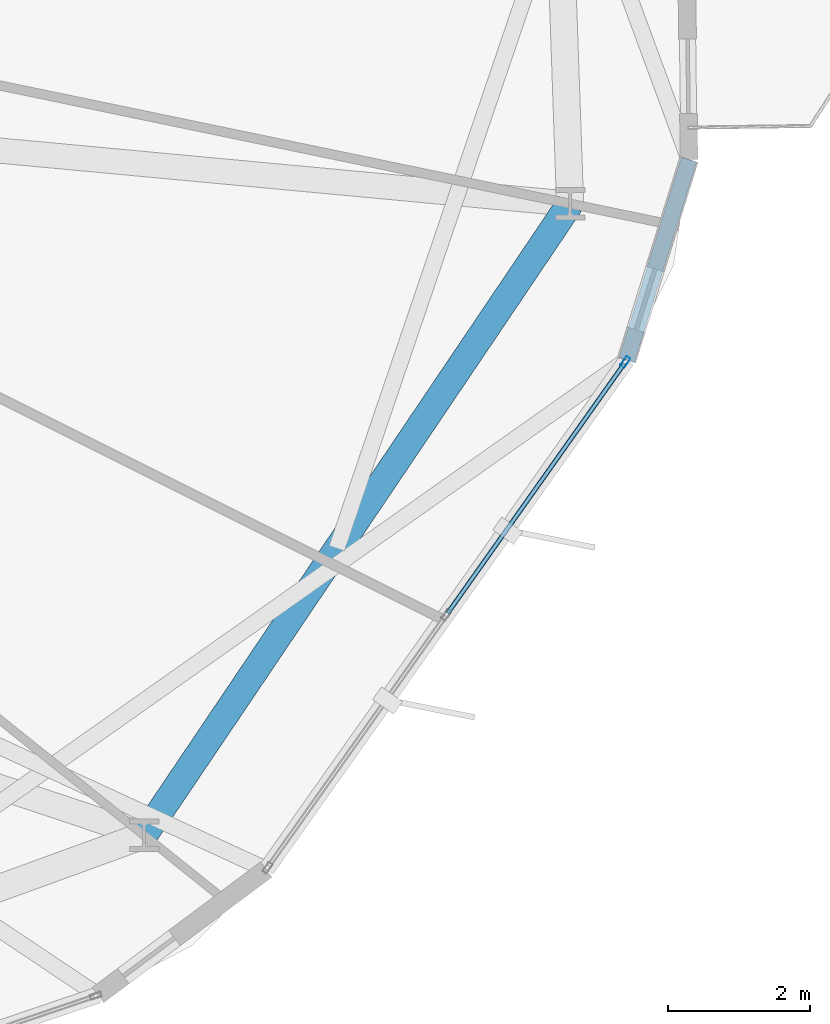
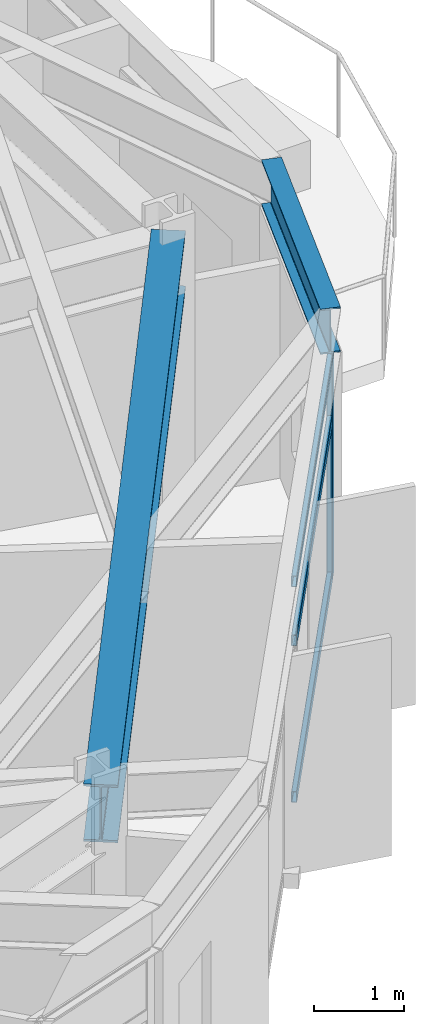
# One storey, part 12 of 25: 4 members, 2 beams, 1 element without a shape of its own.
"""IFC4 building model written with IfcOpenShell, lengths in metres."""

from ifc_helpers import new_model, si_unit, direction, frame, origin, origin_2d, place, context, subcontext, project, spatial, hollow_rectangle, i_section, extrude, material, layer, layer_set, material_profile, profile_set, type_object, element, aggregate, save


model = new_model("IFC4")

# Units and contexts
model_context = context("Model", 3, precision=1e-05, world=origin(), true_north=direction((0.0, 1.0)))
body_context = subcontext(model_context, "Body", "Model", "MODEL_VIEW")
ifc_project = project(units=[si_unit("LENGTHUNIT", "METRE"), si_unit("AREAUNIT", "SQUARE_METRE"), si_unit("VOLUMEUNIT", "CUBIC_METRE"), si_unit("PLANEANGLEUNIT", "RADIAN"), si_unit("MASSUNIT", "GRAM", prefix="KILO")], contexts=[model_context])

# Site, building, storey
site_placement = place(None, origin())
site = spatial("IfcSite", under=ifc_project, at=site_placement, CompositionType="ELEMENT")
building_placement = place(site_placement, origin())
building = spatial("IfcBuilding", under=site, at=building_placement, Name="Soratama Intermodal Tower", CompositionType="ELEMENT")
storey_placement = place(building_placement, frame((0.0, 0.0, 106.89990234375)))
storey = spatial("IfcBuildingStorey", under=building, at=storey_placement, Name="L25", CompositionType="ELEMENT", Elevation=106.89990234375)

# Beams
ifc_material_1 = material(Name="Structural steel ASTM A992 Grade 50", Category="steel")
ifc_material_profile_1 = material_profile(ifc_material_1, i_section(OverallWidth=0.382080078125, OverallDepth=0.779052734375, WebThickness=0.01806640625, FlangeThickness=0.030029296875, FilletRadius=0.01806640625, at=origin_2d()), Name="W30X191")
ifc_profile_set_1 = profile_set([ifc_material_profile_1], Name="Structural steel ASTM A992 Grade 50")
beam_type_1 = type_object("IfcBeamType", Name="BM-RING-W30X191", PredefinedType="BEAM", material=ifc_profile_set_1)
beam_1_placement = place(storey_placement, frame((55.7119140625, 11.2890625, 3.210693359375), z_axis=(0.559249807749, 0.828999187293, 0.0), x_axis=(-0.828999187293, 0.559249807749, 0.0)))
element("IfcBeam", 1, at=beam_1_placement, inside=storey, type_object=beam_type_1, Name="BM-L25-RING-09", PredefinedType="BEAM", context=body_context, shape_type="SweptSolid", body=[
    extrude(i_section(OverallWidth=0.382080078125, OverallDepth=0.779052734375, WebThickness=0.01806640625, FlangeThickness=0.030029296875, FilletRadius=0.01806640625, at=origin_2d()), origin(), (0.0, 0.0, 1.0), 10.75390625),
])
ifc_material_2 = material(Name="Structural steel ASTM A992 Grade 50", Category="steel")
ifc_material_profile_2 = material_profile(ifc_material_2, i_section(OverallWidth=0.22900390625, OverallDepth=0.612060546875, WebThickness=0.011962890625, FlangeThickness=0.01953125, FilletRadius=0.012939453125, at=origin_2d()), Name="W24X84")
ifc_profile_set_2 = profile_set([ifc_material_profile_2], Name="Structural steel ASTM A992 Grade 50")
beam_type_2 = type_object("IfcBeamType", Name="BM-SPN-W24X84", PredefinedType="SPANDREL", material=ifc_profile_set_2)
beam_2_placement = place(storey_placement, frame((62.52490234375, 17.9951171875, 3.294189453125), z_axis=(0.297004858098, 0.954875968001, 0.0), x_axis=(-0.954875968001, 0.297004858098, 0.0)))
element("IfcBeam", 2, at=beam_2_placement, inside=storey, type_object=beam_type_2, Name="BS-L25-CRN09", PredefinedType="SPANDREL", context=body_context, shape_type="SweptSolid", body=[
    extrude(i_section(OverallWidth=0.22900390625, OverallDepth=0.612060546875, WebThickness=0.011962890625, FlangeThickness=0.01953125, FilletRadius=0.012939453125, at=origin_2d()), origin(), (0.0, 0.0, 1.0), 2.966552734375),
])

# Curtain wall, members
ifc_material_3 = material(Name="Double-glazed aluminium curtain wall", Category="aluminium")
ifc_layer = layer(ifc_material_3, 0.159912109375)
ifc_layer_set = layer_set([ifc_layer], Name="Double-glazed aluminium curtain wall")
curtain_wall_type = type_object("IfcCurtainWallType", Name="CW-SYS-3", PredefinedType="NOTDEFINED", material=ifc_layer_set)
curtain_wall_placement = place(storey_placement, origin())
curtain_wall = element("IfcCurtainWall", 3, at=curtain_wall_placement, inside=storey, type_object=curtain_wall_type, Name="L25 Faceted Curtain Wall F09", PredefinedType="NOTDEFINED")
ifc_material_4 = material(Name="Anodised aluminium AA 6063-T6", Category="aluminium")
ifc_material_profile_3 = material_profile(ifc_material_4, hollow_rectangle(XDim=0.070068359375, YDim=0.159912109375, WallThickness=0.0048828125, InnerFilletRadius=0.0048828125, OuterFilletRadius=0.010009765625, at=origin_2d()), Name="CWM160X70X5")
ifc_profile_set_3 = profile_set([ifc_material_profile_3], Name="Anodised aluminium AA 6063-T6")
member_type_1 = type_object("IfcMemberType", Name="MT-CWM-3", PredefinedType="MULLION", material=ifc_profile_set_3)
member_1_placement = place(storey_placement, frame((62.50732421875, 17.970458984375, 0.0), z_axis=(0.0, 0.0, 1.0), x_axis=(-0.816333893981, 0.57758027454, 0.0)))
member_1 = element("IfcMember", 4, at=member_1_placement, type_object=member_type_1, Name="CW-3 mullion 3", PredefinedType="MULLION", context=body_context, shape_type="SweptSolid", body=[
    extrude(hollow_rectangle(XDim=0.070068359375, YDim=0.159912109375, WallThickness=0.0048828125, InnerFilletRadius=0.0048828125, OuterFilletRadius=0.010009765625, at=origin_2d()), origin(), (0.0, 0.0, 1.0), 2.97900390625),
])
ifc_material_5 = material(Name="Anodised aluminium AA 6063-T6", Category="aluminium")
ifc_material_profile_4 = material_profile(ifc_material_5, hollow_rectangle(XDim=0.06494140625, YDim=0.14990234375, WallThickness=0.0048828125, InnerFilletRadius=0.0048828125, OuterFilletRadius=0.010009765625, at=origin_2d()), Name="CWT150X65X5")
ifc_profile_set_4 = profile_set([ifc_material_profile_4], Name="Anodised aluminium AA 6063-T6")
member_type_2 = type_object("IfcMemberType", Name="TT-CWT-1", PredefinedType="USERDEFINED", material=ifc_profile_set_4)
member_2_placement = place(storey_placement, frame((59.998779296875, 14.425048828125, 0.030029296875), z_axis=(0.577580659667, 0.816333621493, 0.0), x_axis=(-0.816333621493, 0.577580659667, 0.0)))
member_2 = element("IfcMember", 5, at=member_2_placement, type_object=member_type_2, Name="CW-3 transom 2.1", ObjectType="TRANSOM", PredefinedType="USERDEFINED", context=body_context, shape_type="SweptSolid", body=[
    extrude(hollow_rectangle(XDim=0.06494140625, YDim=0.14990234375, WallThickness=0.0048828125, InnerFilletRadius=0.0048828125, OuterFilletRadius=0.010009765625, at=origin_2d()), origin(), (0.0, 0.0, 1.0), 4.313232421875),
])
member_3_placement = place(storey_placement, frame((59.998779296875, 14.425048828125, 2.150146484375), z_axis=(0.577580659667, 0.816333621493, 0.0), x_axis=(-0.816333621493, 0.577580659667, 0.0)))
member_3 = element("IfcMember", 6, at=member_3_placement, type_object=member_type_2, Name="CW-3 transom 2.2", ObjectType="TRANSOM", PredefinedType="USERDEFINED", context=body_context, shape_type="SweptSolid", body=[
    extrude(hollow_rectangle(XDim=0.06494140625, YDim=0.14990234375, WallThickness=0.0048828125, InnerFilletRadius=0.0048828125, OuterFilletRadius=0.010009765625, at=origin_2d()), origin(), (0.0, 0.0, 1.0), 4.313232421875),
])
member_4_placement = place(storey_placement, frame((59.998779296875, 14.425048828125, 2.94921875), z_axis=(0.577580659667, 0.816333621493, 0.0), x_axis=(-0.816333621493, 0.577580659667, 0.0)))
member_4 = element("IfcMember", 7, at=member_4_placement, type_object=member_type_2, Name="CW-3 transom 2.3", ObjectType="TRANSOM", PredefinedType="USERDEFINED", context=body_context, shape_type="SweptSolid", body=[
    extrude(hollow_rectangle(XDim=0.06494140625, YDim=0.14990234375, WallThickness=0.0048828125, InnerFilletRadius=0.0048828125, OuterFilletRadius=0.010009765625, at=origin_2d()), origin(), (0.0, 0.0, 1.0), 4.313232421875),
])
aggregate(curtain_wall, [member_1, member_2, member_3, member_4])

save(model, "model.ifc")
